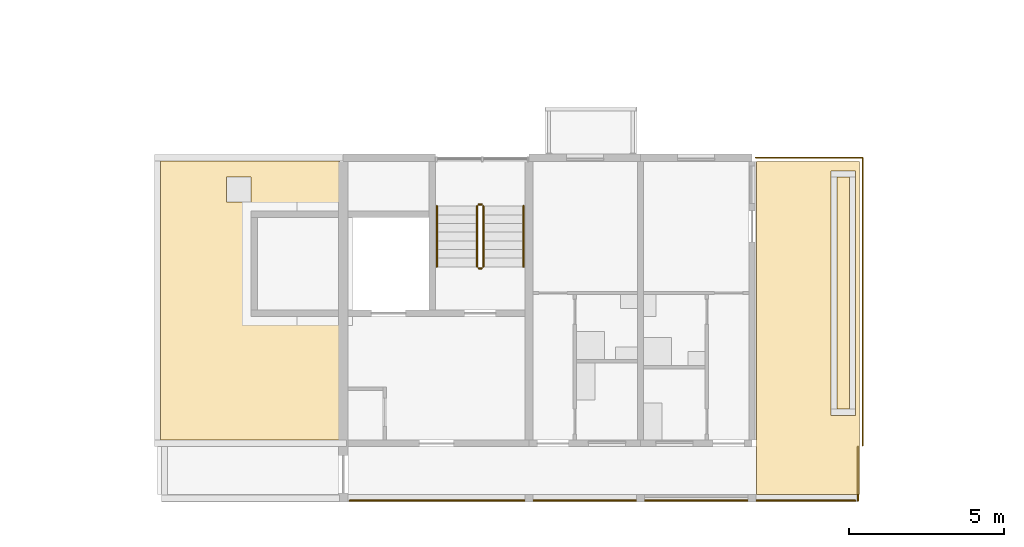
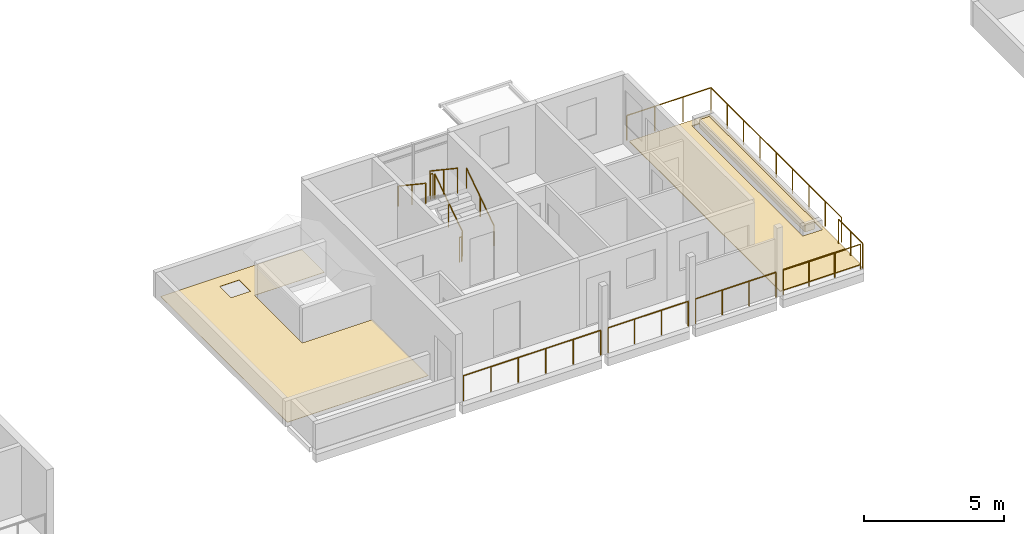
# One storey, part 32 of 41: 12 railings, 4 coverings.
"""IFC4 building model written with IfcOpenShell, lengths in metres."""

from ifc_helpers import new_model, si_unit, direction, frame, origin, origin_2d, place, context, subcontext, project, spatial, polyline, circle, outline, extrude, material, layer, layer_set, type_object, element, save


model = new_model("IFC4")

# Units and contexts
model_context = context("Model", 3, precision=1e-05, world=origin(), true_north=direction((0.0, 1.0)))
body_context = subcontext(model_context, "Body", "Model", "MODEL_VIEW")
ifc_project = project(units=[si_unit("LENGTHUNIT", "METRE"), si_unit("AREAUNIT", "SQUARE_METRE"), si_unit("VOLUMEUNIT", "CUBIC_METRE"), si_unit("PLANEANGLEUNIT", "RADIAN"), si_unit("MASSUNIT", "GRAM", prefix="KILO")], contexts=[model_context])

# Site, building, storey
site_placement = place(None, origin())
site = spatial("IfcSite", under=ifc_project, at=site_placement, CompositionType="ELEMENT")
building_placement = place(site_placement, origin())
building = spatial("IfcBuilding", under=site, at=building_placement, Name="Ridgestep Commons", CompositionType="ELEMENT")
storey_placement = place(building_placement, frame((0.0, 0.0, 39.0)))
storey = spatial("IfcBuildingStorey", under=building, at=storey_placement, Name="L13", CompositionType="ELEMENT", Elevation=39.0)

# Railings
ifc_material_1 = material(Name="Structural steel S355JR", Category="steel")
railing_type_1 = type_object("IfcRailingType", Name="Guard 1100", PredefinedType="GUARDRAIL", material=ifc_material_1)
railing_1_placement = place(storey_placement, frame((62.37890625, 13.571044921875, 0.0)))
element("IfcRailing", 1, at=railing_1_placement, inside=storey, type_object=railing_type_1, Name="Guard TD-A3R1-GD", PredefinedType="GUARDRAIL", context=body_context, shape_type="SweptSolid", body=[
    extrude(circle(Radius=0.02392578125, at=origin_2d()), frame((0.0, 0.0, 1.076171875), z_axis=(0.0, 1.0, 0.0), x_axis=(-1.0, 0.0, 0.0)), (0.0, 0.0, 1.0), 9.303955078125),
    extrude(circle(Radius=0.02392578125, at=origin_2d()), frame((0.0, 9.303955078125, 1.076171875), z_axis=(-1.0, 0.0, 0.0), x_axis=(0.0, -1.0, 0.0)), (0.0, 0.0, 1.0), 3.4580078125),
    extrude(circle(Radius=0.02099609375, at=origin_2d()), origin(), (0.0, 0.0, 1.0), 1.052001953125),
    extrude(circle(Radius=0.02099609375, at=origin_2d()), frame((0.0, 1.1630859375, 0.0)), (0.0, 0.0, 1.0), 1.052001953125),
    extrude(circle(Radius=0.02099609375, at=origin_2d()), frame((0.0, 2.325927734375, 0.0)), (0.0, 0.0, 1.0), 1.052001953125),
    extrude(circle(Radius=0.02099609375, at=origin_2d()), frame((0.0, 3.489013671875, 0.0)), (0.0, 0.0, 1.0), 1.052001953125),
    extrude(circle(Radius=0.02099609375, at=origin_2d()), frame((0.0, 4.65185546875, 0.0)), (0.0, 0.0, 1.0), 1.052001953125),
    extrude(circle(Radius=0.02099609375, at=origin_2d()), frame((0.0, 5.81494140625, 0.0)), (0.0, 0.0, 1.0), 1.052001953125),
    extrude(circle(Radius=0.02099609375, at=origin_2d()), frame((0.0, 6.97802734375, 0.0)), (0.0, 0.0, 1.0), 1.052001953125),
    extrude(circle(Radius=0.02099609375, at=origin_2d()), frame((0.0, 8.140869140625, 0.0)), (0.0, 0.0, 1.0), 1.052001953125),
    extrude(circle(Radius=0.02099609375, at=origin_2d()), frame((0.0, 9.303955078125, 0.0)), (0.0, 0.0, 1.0), 1.052001953125),
    extrude(circle(Radius=0.02099609375, at=origin_2d()), frame((-1.152587890625, 9.303955078125, 0.0)), (0.0, 0.0, 1.0), 1.052001953125),
    extrude(circle(Radius=0.02099609375, at=origin_2d()), frame((-2.305419921875, 9.303955078125, 0.0)), (0.0, 0.0, 1.0), 1.052001953125),
    extrude(circle(Radius=0.02099609375, at=origin_2d()), frame((-3.4580078125, 9.303955078125, 0.0)), (0.0, 0.0, 1.0), 1.052001953125),
])
railing_2_placement = place(storey_placement, frame((45.81103515625, 11.800048828125, 0.0)))
element("IfcRailing", 2, at=railing_2_placement, inside=storey, type_object=railing_type_1, Name="Gallery guard A 13.2", PredefinedType="GUARDRAIL", context=body_context, shape_type="SweptSolid", body=[
    extrude(circle(Radius=0.02392578125, at=origin_2d()), frame((0.0, 0.0, 1.076171875), z_axis=(1.0, 0.0, 0.0), x_axis=(0.0, 1.0, 0.0)), (0.0, 0.0, 1.0), 5.64306640625),
    extrude(circle(Radius=0.02099609375, at=origin_2d()), origin(), (0.0, 0.0, 1.0), 1.052001953125),
    extrude(circle(Radius=0.02099609375, at=origin_2d()), frame((1.128662109375, 0.0, 0.0)), (0.0, 0.0, 1.0), 1.052001953125),
    extrude(circle(Radius=0.02099609375, at=origin_2d()), frame((2.25732421875, 0.0, 0.0)), (0.0, 0.0, 1.0), 1.052001953125),
    extrude(circle(Radius=0.02099609375, at=origin_2d()), frame((3.3857421875, 0.0, 0.0)), (0.0, 0.0, 1.0), 1.052001953125),
    extrude(circle(Radius=0.02099609375, at=origin_2d()), frame((4.514404296875, 0.0, 0.0)), (0.0, 0.0, 1.0), 1.052001953125),
    extrude(circle(Radius=0.02099609375, at=origin_2d()), frame((5.64306640625, 0.0, 0.0)), (0.0, 0.0, 1.0), 1.052001953125),
])
railing_3_placement = place(storey_placement, frame((51.74609375, 11.800048828125, 0.0)))
element("IfcRailing", 3, at=railing_3_placement, inside=storey, type_object=railing_type_1, Name="Gallery guard A 13.3", PredefinedType="GUARDRAIL", context=body_context, shape_type="SweptSolid", body=[
    extrude(circle(Radius=0.02392578125, at=origin_2d()), frame((0.0, 0.0, 1.076171875), z_axis=(1.0, 0.0, 0.0), x_axis=(0.0, 1.0, 0.0)), (0.0, 0.0, 1.0), 3.307861328125),
    extrude(circle(Radius=0.02099609375, at=origin_2d()), origin(), (0.0, 0.0, 1.0), 1.052001953125),
    extrude(circle(Radius=0.02099609375, at=origin_2d()), frame((1.1025390625, 0.0, 0.0)), (0.0, 0.0, 1.0), 1.052001953125),
    extrude(circle(Radius=0.02099609375, at=origin_2d()), frame((2.205322265625, 0.0, 0.0)), (0.0, 0.0, 1.0), 1.052001953125),
    extrude(circle(Radius=0.02099609375, at=origin_2d()), frame((3.307861328125, 0.0, 0.0)), (0.0, 0.0, 1.0), 1.052001953125),
])
railing_4_placement = place(storey_placement, frame((55.345947265625, 11.800048828125, 0.0)))
element("IfcRailing", 4, at=railing_4_placement, inside=storey, type_object=railing_type_1, Name="Gallery guard A 13.4", PredefinedType="GUARDRAIL", context=body_context, shape_type="SweptSolid", body=[
    extrude(circle(Radius=0.02392578125, at=origin_2d()), frame((0.0, 0.0, 1.076171875), z_axis=(1.0, 0.0, 0.0), x_axis=(0.0, 1.0, 0.0)), (0.0, 0.0, 1.0), 3.30810546875),
    extrude(circle(Radius=0.02099609375, at=origin_2d()), origin(), (0.0, 0.0, 1.0), 1.052001953125),
    extrude(circle(Radius=0.02099609375, at=origin_2d()), frame((1.102783203125, 0.0, 0.0)), (0.0, 0.0, 1.0), 1.052001953125),
    extrude(circle(Radius=0.02099609375, at=origin_2d()), frame((2.205322265625, 0.0, 0.0)), (0.0, 0.0, 1.0), 1.052001953125),
    extrude(circle(Radius=0.02099609375, at=origin_2d()), frame((3.30810546875, 0.0, 0.0)), (0.0, 0.0, 1.0), 1.052001953125),
])
railing_5_placement = place(storey_placement, frame((58.946044921875, 11.800048828125, 0.0)))
element("IfcRailing", 5, at=railing_5_placement, inside=storey, type_object=railing_type_1, Name="Gallery guard A 13.5", PredefinedType="GUARDRAIL", context=body_context, shape_type="SweptSolid", body=[
    extrude(circle(Radius=0.02392578125, at=origin_2d()), frame((0.0, 0.0, 1.076171875), z_axis=(1.0, 0.0, 0.0), x_axis=(0.0, 1.0, 0.0)), (0.0, 0.0, 1.0), 3.19287109375),
    extrude(circle(Radius=0.02099609375, at=origin_2d()), origin(), (0.0, 0.0, 1.0), 1.052001953125),
    extrude(circle(Radius=0.02099609375, at=origin_2d()), frame((1.064208984375, 0.0, 0.0)), (0.0, 0.0, 1.0), 1.052001953125),
    extrude(circle(Radius=0.02099609375, at=origin_2d()), frame((2.128662109375, 0.0, 0.0)), (0.0, 0.0, 1.0), 1.052001953125),
    extrude(circle(Radius=0.02099609375, at=origin_2d()), frame((3.19287109375, 0.0, 0.0)), (0.0, 0.0, 1.0), 1.052001953125),
])
railing_6_placement = place(storey_placement, frame((62.22900390625, 11.800048828125, 0.0)))
element("IfcRailing", 6, at=railing_6_placement, inside=storey, type_object=railing_type_1, Name="Gallery end guard A 13.5E", PredefinedType="GUARDRAIL", context=body_context, shape_type="SweptSolid", body=[
    extrude(circle(Radius=0.02392578125, at=origin_2d()), frame((0.0, 0.0, 1.076171875), z_axis=(0.0, 1.0, 0.0), x_axis=(-1.0, 0.0, 0.0)), (0.0, 0.0, 1.0), 1.72900390625),
    extrude(circle(Radius=0.02099609375, at=origin_2d()), origin(), (0.0, 0.0, 1.0), 1.052001953125),
    extrude(circle(Radius=0.02099609375, at=origin_2d()), frame((0.0, 0.864501953125, 0.0)), (0.0, 0.0, 1.0), 1.052001953125),
    extrude(circle(Radius=0.02099609375, at=origin_2d()), frame((0.0, 1.72900390625, 0.0)), (0.0, 0.0, 1.0), 1.052001953125),
])

# Coverings
ifc_material_2 = material(Name="Planting soil")
ifc_layer_1 = layer(ifc_material_2, 0.35009765625)
ifc_layer_set_1 = layer_set([ifc_layer_1], Name="Planting soil 350")
covering_type_1 = type_object("IfcCoveringType", Name="Planting soil 350", PredefinedType="FLOORING", material=ifc_layer_set_1)
covering_1_placement = place(storey_placement, frame((0.0, 0.0, 0.010009765625)))
element("IfcCovering", 7, at=covering_1_placement, inside=storey, type_object=covering_type_1, Name="Planting soil A3R1", PredefinedType="FLOORING", context=body_context, shape_type="SweptSolid", body=[
    extrude(outline(polyline([(61.550048828125, 14.75), (61.949951171875, 14.75), (61.949951171875, 22.25), (61.550048828125, 22.25), (61.550048828125, 14.75)])), origin(), (0.0, 0.0, 1.0), 0.35009765625),
])
ifc_material_3 = material(Name="Bitumen membrane, two layer")
ifc_layer_2 = layer(ifc_material_3, 0.011962890625)
ifc_layer_set_2 = layer_set([ifc_layer_2], Name="Roof membrane 12")
covering_type_2 = type_object("IfcCoveringType", Name="Roof membrane 12", PredefinedType="ROOFING", material=ifc_layer_set_2)
covering_2_placement = place(storey_placement, origin())
element("IfcCovering", 8, at=covering_2_placement, inside=storey, type_object=covering_type_2, Name="Roof membrane A2C", PredefinedType="ROOFING", context=body_context, shape_type="SweptSolid", body=[
    extrude(outline(polyline([(39.699951171875, 13.75), (39.699951171875, 22.77490234375), (45.5, 22.77490234375), (45.5, 21.14990234375), (42.625, 21.14990234375), (42.625, 17.75), (45.5, 17.75), (45.5, 13.75), (39.699951171875, 13.75)]), holes=[polyline([(42.625, 22.25), (41.824951171875, 22.25), (41.824951171875, 21.449951171875), (42.625, 21.449951171875), (42.625, 22.25)])]), origin(), (0.0, 0.0, 1.0), 0.011962890625),
])

# Railings
ifc_material_4 = material(Name="Structural steel S355JR", Category="steel")
railing_type_2 = type_object("IfcRailingType", Name="Stair guard 1100", PredefinedType="GUARDRAIL", material=ifc_material_4)
railing_7_placement = place(storey_placement, frame((50.125, 19.35009765625, 0.1875)))
element("IfcRailing", 9, at=railing_7_placement, inside=storey, type_object=railing_type_2, Name="L13 A3C stair guard 1", PredefinedType="GUARDRAIL", context=body_context, shape_type="SweptSolid", body=[
    extrude(circle(Radius=0.02392578125, at=origin_2d()), frame((0.0, 0.0, 1.076171875), z_axis=(0.0, 0.830902050051, 0.556418712142), x_axis=(-1.0, 0.0, 0.0)), (0.0, 0.0, 1.0), 2.35888671875),
    extrude(circle(Radius=0.02099609375, at=origin_2d()), origin(), (0.0, 0.0, 1.0), 1.052001953125),
    extrude(circle(Radius=0.02099609375, at=origin_2d()), frame((0.0, 0.97998046875, 0.65625)), (0.0, 0.0, 1.0), 1.052001953125),
    extrude(circle(Radius=0.02099609375, at=origin_2d()), frame((0.0, 1.9599609375, 1.3125)), (0.0, 0.0, 1.0), 1.052001953125),
])
railing_8_placement = place(storey_placement, frame((50.074951171875, 21.360107421875, 1.5)))
element("IfcRailing", 10, at=railing_8_placement, inside=storey, type_object=railing_type_2, Name="L13 A3C stair guard 2", PredefinedType="GUARDRAIL", context=body_context, shape_type="SweptSolid", body=[
    extrude(circle(Radius=0.02392578125, at=origin_2d()), frame((0.0, 0.0, 1.076171875), z_axis=(-1.0, 0.0, 0.0), x_axis=(0.0, -1.0, 0.0)), (0.0, 0.0, 1.0), 0.099853515625),
    extrude(circle(Radius=0.02099609375, at=origin_2d()), origin(), (0.0, 0.0, 1.0), 1.052001953125),
    extrude(circle(Radius=0.02099609375, at=origin_2d()), frame((-0.099853515625, 0.0, 0.0)), (0.0, 0.0, 1.0), 1.052001953125),
])
railing_9_placement = place(storey_placement, frame((49.925048828125, 21.31005859375, 1.6875)))
element("IfcRailing", 11, at=railing_9_placement, inside=storey, type_object=railing_type_2, Name="L13 A3C stair guard 3", PredefinedType="GUARDRAIL", context=body_context, shape_type="SweptSolid", body=[
    extrude(circle(Radius=0.02392578125, at=origin_2d()), frame((0.0, 0.0, 1.076171875), z_axis=(0.0, -0.830902050051, 0.556418712142), x_axis=(1.0, 0.0, 0.0)), (0.0, 0.0, 1.0), 2.35888671875),
    extrude(circle(Radius=0.02099609375, at=origin_2d()), origin(), (0.0, 0.0, 1.0), 1.052001953125),
    extrude(circle(Radius=0.02099609375, at=origin_2d()), frame((0.0, -0.97998046875, 0.65625)), (0.0, 0.0, 1.0), 1.052001953125),
    extrude(circle(Radius=0.02099609375, at=origin_2d()), frame((0.0, -1.9599609375, 1.3125)), (0.0, 0.0, 1.0), 1.052001953125),
])
railing_10_placement = place(storey_placement, frame((50.074951171875, 19.300048828125, 0.0)))
element("IfcRailing", 12, at=railing_10_placement, inside=storey, type_object=railing_type_2, Name="L13 A3C stair guard 4", PredefinedType="GUARDRAIL", context=body_context, shape_type="SweptSolid", body=[
    extrude(circle(Radius=0.02392578125, at=origin_2d()), frame((0.0, 0.0, 1.076171875), z_axis=(-1.0, 0.0, 0.0), x_axis=(0.0, -1.0, 0.0)), (0.0, 0.0, 1.0), 0.099853515625),
    extrude(circle(Radius=0.02099609375, at=origin_2d()), origin(), (0.0, 0.0, 1.0), 1.052001953125),
    extrude(circle(Radius=0.02099609375, at=origin_2d()), frame((-0.099853515625, 0.0, 0.0)), (0.0, 0.0, 1.0), 1.052001953125),
])
ifc_material_5 = material(Name="Structural steel S355JR", Category="steel")
railing_type_3 = type_object("IfcRailingType", Name="Stair handrail 900", PredefinedType="HANDRAIL", material=ifc_material_5)
railing_11_placement = place(storey_placement, frame((51.425048828125, 19.35009765625, 0.1875)))
element("IfcRailing", 13, at=railing_11_placement, inside=storey, type_object=railing_type_3, Name="L13 A3C stair handrail 1", PredefinedType="HANDRAIL", context=body_context, shape_type="SweptSolid", body=[
    extrude(circle(Radius=0.02392578125, at=origin_2d()), frame((0.0, 0.0, 0.8759765625), z_axis=(0.0, 0.830902050051, 0.556418712142), x_axis=(-1.0, 0.0, 0.0)), (0.0, 0.0, 1.0), 2.35888671875),
    extrude(circle(Radius=0.02099609375, at=origin_2d()), origin(), (0.0, 0.0, 1.0), 0.851806640625),
    extrude(circle(Radius=0.02099609375, at=origin_2d()), frame((0.0, 0.97998046875, 0.65625)), (0.0, 0.0, 1.0), 0.851806640625),
    extrude(circle(Radius=0.02099609375, at=origin_2d()), frame((0.0, 1.9599609375, 1.3125)), (0.0, 0.0, 1.0), 0.851806640625),
])
railing_12_placement = place(storey_placement, frame((48.625, 21.31005859375, 1.6875)))
element("IfcRailing", 14, at=railing_12_placement, inside=storey, type_object=railing_type_3, Name="L13 A3C stair handrail 2", PredefinedType="HANDRAIL", context=body_context, shape_type="SweptSolid", body=[
    extrude(circle(Radius=0.02392578125, at=origin_2d()), frame((0.0, 0.0, 0.8759765625), z_axis=(0.0, -0.830902050051, 0.556418712142), x_axis=(1.0, 0.0, 0.0)), (0.0, 0.0, 1.0), 2.35888671875),
    extrude(circle(Radius=0.02099609375, at=origin_2d()), origin(), (0.0, 0.0, 1.0), 0.851806640625),
    extrude(circle(Radius=0.02099609375, at=origin_2d()), frame((0.0, -0.97998046875, 0.65625)), (0.0, 0.0, 1.0), 0.851806640625),
    extrude(circle(Radius=0.02099609375, at=origin_2d()), frame((0.0, -1.9599609375, 1.3125)), (0.0, 0.0, 1.0), 0.851806640625),
])

# Coverings
ifc_material_6 = material(Name="Bitumen membrane, two layer")
ifc_layer_3 = layer(ifc_material_6, 0.010009765625)
ifc_layer_set_3 = layer_set([ifc_layer_3], Name="Terrace membrane 10")
covering_type_3 = type_object("IfcCoveringType", Name="Terrace membrane 10", PredefinedType="ROOFING", material=ifc_layer_set_3)
covering_3_placement = place(storey_placement, origin())
element("IfcCovering", 15, at=covering_3_placement, inside=storey, type_object=covering_type_3, Name="Terrace membrane A3R1", PredefinedType="ROOFING", context=body_context, shape_type="SweptSolid", body=[
    extrude(outline(polyline([(62.27490234375, 12.0), (62.27490234375, 22.75), (58.949951171875, 22.75), (58.949951171875, 12.0), (62.27490234375, 12.0)]), holes=[polyline([(62.14990234375, 14.550048828125), (62.14990234375, 22.449951171875), (61.35009765625, 22.449951171875), (61.35009765625, 14.550048828125), (62.14990234375, 14.550048828125)])]), origin(), (0.0, 0.0, 1.0), 0.010009765625),
])
ifc_material_7 = material(Name="Concrete paving slab", Category="concrete")
ifc_layer_4 = layer(ifc_material_7, 0.030029296875)
ifc_layer_set_4 = layer_set([ifc_layer_4], Name="Terrace paving 30")
covering_type_4 = type_object("IfcCoveringType", Name="Terrace paving 30", PredefinedType="FLOORING", material=ifc_layer_set_4)
covering_4_placement = place(storey_placement, frame((0.0, 0.0, 0.010009765625)))
element("IfcCovering", 16, at=covering_4_placement, inside=storey, type_object=covering_type_4, Name="Terrace paving A3R1", PredefinedType="FLOORING", context=body_context, shape_type="SweptSolid", body=[
    extrude(outline(polyline([(62.27490234375, 12.0), (62.27490234375, 22.75), (58.949951171875, 22.75), (58.949951171875, 12.0), (62.27490234375, 12.0)]), holes=[polyline([(62.14990234375, 14.550048828125), (62.14990234375, 22.449951171875), (61.35009765625, 22.449951171875), (61.35009765625, 14.550048828125), (62.14990234375, 14.550048828125)])]), origin(), (0.0, 0.0, 1.0), 0.030029296875),
])

save(model, "model.ifc")
